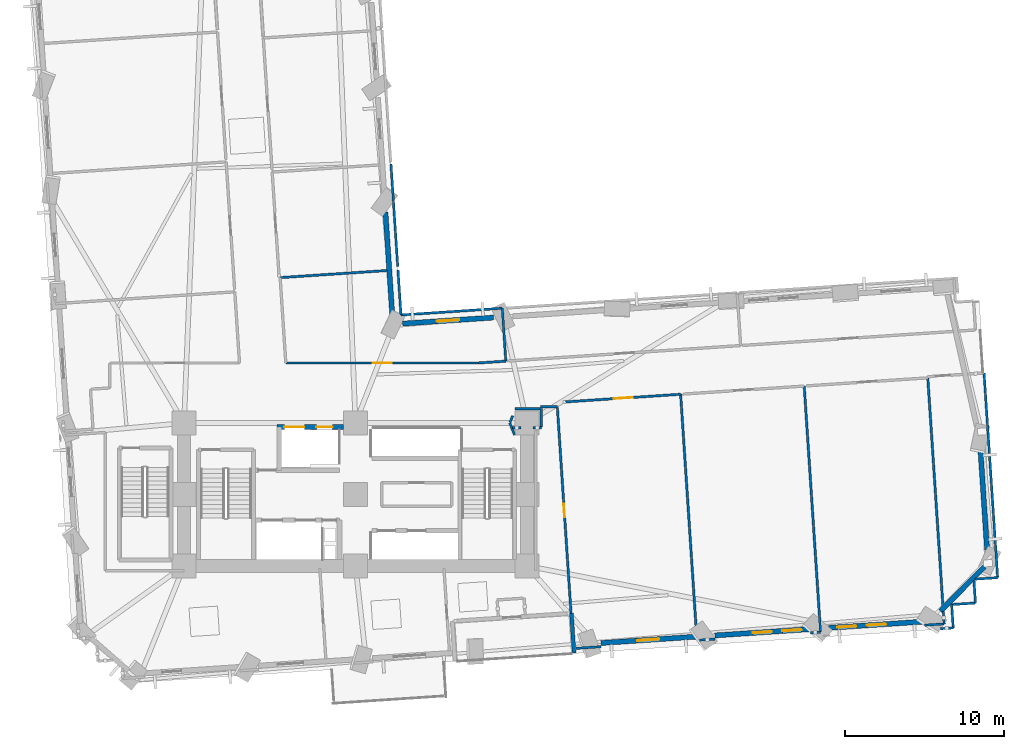
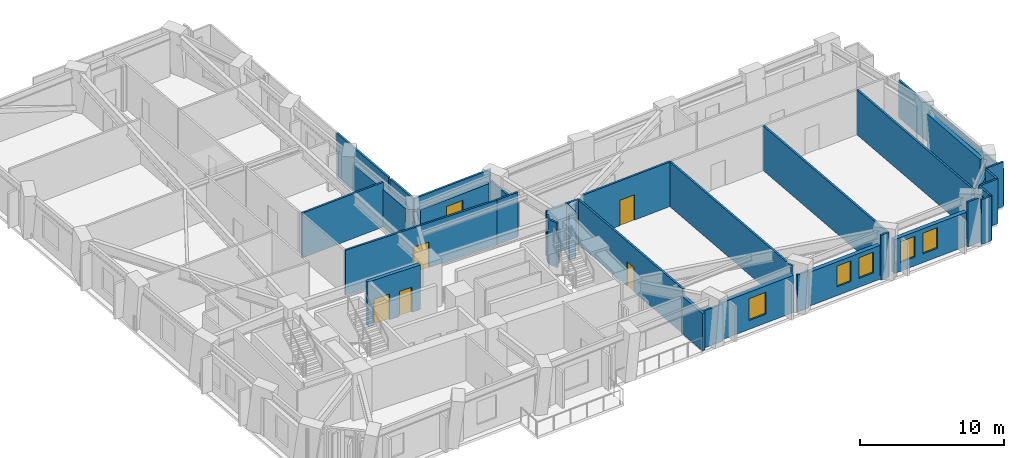
# One storey, part 8 of 14: 39 walls, 6 windows, 5 doors, 11 openings.
"""IFC4 building model written with IfcOpenShell, lengths in metres."""

from ifc_helpers import new_model, si_unit, direction, frame, frame_2d, origin, place, context, subcontext, project, spatial, rectangle, extrude, material, layer, layer_set, type_object, element, fill, save


model = new_model("IFC4")

# Units and contexts
model_context = context("Model", 3, precision=1e-05, world=origin(), true_north=direction((0.0, 1.0)))
body_context = subcontext(model_context, "Body", "Model", "MODEL_VIEW")
ifc_project = project(units=[si_unit("LENGTHUNIT", "METRE"), si_unit("AREAUNIT", "SQUARE_METRE"), si_unit("VOLUMEUNIT", "CUBIC_METRE"), si_unit("PLANEANGLEUNIT", "RADIAN"), si_unit("MASSUNIT", "GRAM", prefix="KILO")], contexts=[model_context])

# Site, building, storey
site_placement = place(None, origin())
site = spatial("IfcSite", under=ifc_project, at=site_placement, CompositionType="ELEMENT")
building_placement = place(site_placement, origin())
building = spatial("IfcBuilding", under=site, at=building_placement, Name="Gaonmaruhae Medical Tower", CompositionType="ELEMENT")
storey_placement = place(building_placement, frame((0.0, 0.0, 39.0)))
storey = spatial("IfcBuildingStorey", under=building, at=storey_placement, Name="L08", CompositionType="ELEMENT", Elevation=39.0)

# Wall
ifc_material_1 = material(Name="Precast concrete C45/55", Category="concrete")
ifc_layer_1 = layer(ifc_material_1, 0.239990234375)
ifc_layer_set_1 = layer_set([ifc_layer_1], Name="Precast concrete C45/55")
wall_type_1 = type_object("IfcWallType", Name="EW-240 Ribbon & Shelter Insulated Precast Wall", PredefinedType="SOLIDWALL", material=ifc_layer_set_1)
wall_1_placement = place(storey_placement, frame((38.563720703125, 2.319580078125, 0.0), z_axis=(0.0, 0.0, 1.0), x_axis=(-0.066214356047, 0.997805421439, 0.0)))
element("IfcWall", 1, at=wall_1_placement, inside=storey, type_object=wall_type_1, Name="L08 Recessed Terrace Enclosure Wall TERR", PredefinedType="SOLIDWALL", context=body_context, shape_type="SweptSolid", body=[
    extrude(rectangle(XDim=2.499755859375, YDim=0.239990234375, at=frame_2d((1.25, 0.0))), origin(), (0.0, 0.0, 1.0), 3.1650390625),
])

# Wall, opening, window
ifc_layer_2 = layer(ifc_material_1, 0.320068359375)
ifc_layer_set_2 = layer_set([ifc_layer_2], Name="Precast concrete C45/55")
wall_type_2 = type_object("IfcWallType", Name="EW-320 Lower Precast Masonry-Frame Facade Wall", PredefinedType="SOLIDWALL", material=ifc_layer_set_2)
wall_2_placement = place(storey_placement, frame((46.233642578125, 3.340087890625, 0.0), z_axis=(0.0, 0.0, 1.0), x_axis=(-0.997800992152, -0.066281068641, 0.0)))
wall_2 = element("IfcWall", 2, at=wall_2_placement, inside=storey, type_object=wall_type_2, Name="L08 Precast Masonry-Frame Wall S05-S06", PredefinedType="SOLIDWALL", context=body_context, shape_type="SweptSolid", body=[
    extrude(rectangle(XDim=5.992919921875, YDim=0.320068359375, at=frame_2d((2.99658203125, 0.0))), origin(), (0.0, 0.0, 1.0), 3.14501953125),
])
opening_1_placement = place(wall_2_placement, frame((2.2978515625, 0.0, 0.75)))
opening_1 = element("IfcOpeningElement", 3, at=opening_1_placement, cuts=wall_2, Name="Opening WN-03", PredefinedType="OPENING", context=body_context, shape_type="SweptSolid", body=[
    extrude(rectangle(XDim=1.39990234375, YDim=1.85009765625, at=frame_2d((0.699951171875, 0.925048828125))), frame((0.0, 0.169921875, 0.0), z_axis=(0.0, -1.0, 0.0), x_axis=(1.0, 0.0, 0.0)), (0.0, 0.0, 1.0), 0.340087890625),
])
ifc_material_2 = material(Name="Anodised aluminium and Low-E double glazing", Category="aluminium")
window_type_1 = type_object("IfcWindowType", Name="WN-03 Isolation Ward Punched Window 1400x1850", PartitioningType="SINGLE_PANEL", PredefinedType="WINDOW", material=ifc_material_2)
window_1_placement = place(opening_1_placement, origin())
window_1 = element("IfcWindow", 4, at=window_1_placement, inside=storey, type_object=window_type_1, Name="L08 Modular Facade Window S05", OverallHeight=1.85009765625, OverallWidth=1.39990234375, PartitioningType="SINGLE_PANEL", PredefinedType="WINDOW", context=body_context, shape_type="SweptSolid", body=[
    extrude(rectangle(XDim=1.39990234375, YDim=1.85009765625, at=frame_2d((0.699951171875, 0.925048828125))), frame((0.0, 0.030029296875, 0.0), z_axis=(0.0, -1.0, 0.0), x_axis=(1.0, 0.0, 0.0)), (0.0, 0.0, 1.0), 0.06005859375),
])
fill(opening_1, window_1)

# Wall, openings, windows
wall_3_placement = place(storey_placement, frame((53.43017578125, 3.818115234375, 0.0), z_axis=(0.0, 0.0, 1.0), x_axis=(-0.997801835768, -0.066268367557, 0.0)))
wall_3 = element("IfcWall", 5, at=wall_3_placement, inside=storey, type_object=wall_type_2, Name="L08 Precast Masonry-Frame Wall S06-S07", PredefinedType="SOLIDWALL", context=body_context, shape_type="SweptSolid", body=[
    extrude(rectangle(XDim=6.012451171875, YDim=0.320068359375, at=frame_2d((3.00634765625, 0.0))), origin(), (0.0, 0.0, 1.0), 2.864990234375),
])
opening_2_placement = place(wall_3_placement, frame((2.4091796875, 0.0, 0.75)))
opening_2 = element("IfcOpeningElement", 6, at=opening_2_placement, cuts=wall_3, Name="Opening WN-05", PredefinedType="OPENING", context=body_context, shape_type="SweptSolid", body=[
    extrude(rectangle(XDim=1.199951171875, YDim=1.75, at=frame_2d((0.60009765625, 0.875))), frame((0.0, 0.169921875, 0.0), z_axis=(0.0, -1.0, 0.0), x_axis=(1.0, 0.0, 0.0)), (0.0, 0.0, 1.0), 0.340087890625),
])
opening_3_placement = place(wall_3_placement, frame((0.544189453125, 0.0, 0.75)))
opening_3 = element("IfcOpeningElement", 7, at=opening_3_placement, cuts=wall_3, Name="Opening WN-05", PredefinedType="OPENING", context=body_context, shape_type="SweptSolid", body=[
    extrude(rectangle(XDim=1.199951171875, YDim=1.75, at=frame_2d((0.60009765625, 0.875))), frame((0.0, 0.169921875, 0.0), z_axis=(0.0, -1.0, 0.0), x_axis=(1.0, 0.0, 0.0)), (0.0, 0.0, 1.0), 0.340087890625),
])
window_type_2 = type_object("IfcWindowType", Name="WN-05 Support & Staff Punched Window 1200x1750", PartitioningType="SINGLE_PANEL", PredefinedType="WINDOW", material=ifc_material_2)
window_2_placement = place(opening_2_placement, origin())
window_2 = element("IfcWindow", 8, at=window_2_placement, inside=storey, type_object=window_type_2, Name="L08 Modular Facade Window S06", OverallHeight=1.75, OverallWidth=1.199951171875, PartitioningType="SINGLE_PANEL", PredefinedType="WINDOW", context=body_context, shape_type="SweptSolid", body=[
    extrude(rectangle(XDim=1.199951171875, YDim=1.75, at=frame_2d((0.60009765625, 0.875))), frame((0.0, 0.030029296875, 0.0), z_axis=(0.0, -1.0, 0.0), x_axis=(1.0, 0.0, 0.0)), (0.0, 0.0, 1.0), 0.06005859375),
])
fill(opening_2, window_2)
window_3_placement = place(opening_3_placement, origin())
window_3 = element("IfcWindow", 9, at=window_3_placement, inside=storey, type_object=window_type_2, Name="L08 Modular Facade Window S06B", OverallHeight=1.75, OverallWidth=1.199951171875, PartitioningType="SINGLE_PANEL", PredefinedType="WINDOW", context=body_context, shape_type="SweptSolid", body=[
    extrude(rectangle(XDim=1.199951171875, YDim=1.75, at=frame_2d((0.60009765625, 0.875))), frame((0.0, 0.030029296875, 0.0), z_axis=(0.0, -1.0, 0.0), x_axis=(1.0, 0.0, 0.0)), (0.0, 0.0, 1.0), 0.06005859375),
])
fill(opening_3, window_3)

wall_4_placement = place(storey_placement, frame((60.633056640625, 4.29638671875, 0.0), z_axis=(0.0, 0.0, 1.0), x_axis=(-0.997803705624, -0.066240207142, 0.0)))
wall_4 = element("IfcWall", 10, at=wall_4_placement, inside=storey, type_object=wall_type_2, Name="L08 Precast Masonry-Frame Wall S07-S08", PredefinedType="SOLIDWALL", context=body_context, shape_type="SweptSolid", body=[
    extrude(rectangle(XDim=6.04443359375, YDim=0.320068359375, at=frame_2d((3.022216796875, 0.0))), origin(), (0.0, 0.0, 1.0), 2.864990234375),
])
opening_4_placement = place(wall_4_placement, frame((2.426513671875, 0.0, 0.75)))
opening_4 = element("IfcOpeningElement", 11, at=opening_4_placement, cuts=wall_4, Name="Opening WN-05", PredefinedType="OPENING", context=body_context, shape_type="SweptSolid", body=[
    extrude(rectangle(XDim=1.199951171875, YDim=1.75, at=frame_2d((0.60009765625, 0.875))), frame((0.0, 0.169921875, 0.0), z_axis=(0.0, -1.0, 0.0), x_axis=(1.0, 0.0, 0.0)), (0.0, 0.0, 1.0), 0.340087890625),
])
opening_5_placement = place(wall_4_placement, frame((4.2958984375, 0.0, 0.75)))
opening_5 = element("IfcOpeningElement", 12, at=opening_5_placement, cuts=wall_4, Name="Opening WN-05", PredefinedType="OPENING", context=body_context, shape_type="SweptSolid", body=[
    extrude(rectangle(XDim=1.199951171875, YDim=1.75, at=frame_2d((0.60009765625, 0.875))), frame((0.0, 0.169921875, 0.0), z_axis=(0.0, -1.0, 0.0), x_axis=(1.0, 0.0, 0.0)), (0.0, 0.0, 1.0), 0.340087890625),
])
window_4_placement = place(opening_4_placement, origin())
window_4 = element("IfcWindow", 13, at=window_4_placement, inside=storey, type_object=window_type_2, Name="L08 Modular Facade Window S07", OverallHeight=1.75, OverallWidth=1.199951171875, PartitioningType="SINGLE_PANEL", PredefinedType="WINDOW", context=body_context, shape_type="SweptSolid", body=[
    extrude(rectangle(XDim=1.199951171875, YDim=1.75, at=frame_2d((0.60009765625, 0.875))), frame((0.0, 0.030029296875, 0.0), z_axis=(0.0, -1.0, 0.0), x_axis=(1.0, 0.0, 0.0)), (0.0, 0.0, 1.0), 0.06005859375),
])
fill(opening_4, window_4)
window_5_placement = place(opening_5_placement, origin())
window_5 = element("IfcWindow", 14, at=window_5_placement, inside=storey, type_object=window_type_2, Name="L08 Modular Facade Window S07B", OverallHeight=1.75, OverallWidth=1.199951171875, PartitioningType="SINGLE_PANEL", PredefinedType="WINDOW", context=body_context, shape_type="SweptSolid", body=[
    extrude(rectangle(XDim=1.199951171875, YDim=1.75, at=frame_2d((0.60009765625, 0.875))), frame((0.0, 0.030029296875, 0.0), z_axis=(0.0, -1.0, 0.0), x_axis=(1.0, 0.0, 0.0)), (0.0, 0.0, 1.0), 0.06005859375),
])
fill(opening_5, window_5)

# Walls
wall_5_placement = place(storey_placement, frame((64.406982421875, 7.7412109375, 0.0), z_axis=(0.0, 0.0, 1.0), x_axis=(-0.704023171007, -0.710177002363, 0.0)))
element("IfcWall", 15, at=wall_5_placement, inside=storey, type_object=wall_type_2, Name="L08 Precast Masonry-Frame Wall S08-E01", PredefinedType="SOLIDWALL", context=body_context, shape_type="SweptSolid", body=[
    extrude(rectangle(XDim=3.927734375, YDim=0.320068359375, at=frame_2d((1.9638671875, 0.0))), origin(), (0.0, 0.0, 1.0), 3.1650390625),
])
wall_6_placement = place(storey_placement, frame((64.14013671875, 15.400390625, 0.0), z_axis=(0.0, 0.0, 1.0), x_axis=(0.066259164562, -0.997802446936, 0.0)))
element("IfcWall", 16, at=wall_6_placement, inside=storey, type_object=wall_type_2, Name="L08 Precast Masonry-Frame Wall E01-E02", PredefinedType="SOLIDWALL", context=body_context, shape_type="SweptSolid", body=[
    extrude(rectangle(XDim=6.610107421875, YDim=0.320068359375, at=frame_2d((3.30517578125, 0.0))), origin(), (0.0, 0.0, 1.0), 3.1650390625),
])

# Wall, opening, window
wall_7_placement = place(storey_placement, frame((27.76953125, 23.059814453125, 0.0), z_axis=(0.0, 0.0, 1.0), x_axis=(0.997801886961, 0.066267596741, 0.0)))
wall_7 = element("IfcWall", 17, at=wall_7_placement, inside=storey, type_object=wall_type_2, Name="L08 Precast Masonry-Frame Wall EN04-KN01", PredefinedType="SOLIDWALL", context=body_context, shape_type="SweptSolid", body=[
    extrude(rectangle(XDim=5.736328125, YDim=0.320068359375, at=frame_2d((2.8681640625, 0.0))), origin(), (0.0, 0.0, 1.0), 3.1650390625),
])
opening_6_placement = place(wall_7_placement, frame((2.168701171875, 0.0, 0.75)))
opening_6 = element("IfcOpeningElement", 18, at=opening_6_placement, cuts=wall_7, Name="Opening WN-03", PredefinedType="OPENING", context=body_context, shape_type="SweptSolid", body=[
    extrude(rectangle(XDim=1.39990234375, YDim=1.85009765625, at=frame_2d((0.699951171875, 0.925048828125))), frame((0.0, 0.169921875, 0.0), z_axis=(0.0, -1.0, 0.0), x_axis=(1.0, 0.0, 0.0)), (0.0, 0.0, 1.0), 0.340087890625),
])
window_6_placement = place(opening_6_placement, origin())
window_6 = element("IfcWindow", 19, at=window_6_placement, inside=storey, type_object=window_type_1, Name="L08 Modular Facade Window EN04", OverallHeight=1.85009765625, OverallWidth=1.39990234375, PartitioningType="SINGLE_PANEL", PredefinedType="WINDOW", context=body_context, shape_type="SweptSolid", body=[
    extrude(rectangle(XDim=1.39990234375, YDim=1.85009765625, at=frame_2d((0.699951171875, 0.925048828125))), frame((0.0, 0.030029296875, 0.0), z_axis=(0.0, -1.0, 0.0), x_axis=(1.0, 0.0, 0.0)), (0.0, 0.0, 1.0), 0.06005859375),
])
fill(opening_6, window_6)

# Walls
wall_8_placement = place(storey_placement, frame((27.1171875, 23.5712890625, 0.0), z_axis=(0.0, 0.0, 1.0), x_axis=(-0.066263654845, 0.997802148748, 0.0)))
element("IfcWall", 20, at=wall_8_placement, inside=storey, type_object=wall_type_2, Name="L08 Precast Masonry-Frame Wall KN01-NE01", PredefinedType="SOLIDWALL", context=body_context, shape_type="SweptSolid", body=[
    extrude(rectangle(XDim=6.5361328125, YDim=0.320068359375, at=frame_2d((3.26806640625, 0.0))), origin(), (0.0, 0.0, 1.0), 3.1650390625),
])
ifc_material_3 = material(Name="Gypsum board partition", Category="gypsum")
ifc_layer_3 = layer(ifc_material_3, 0.14990234375)
ifc_layer_set_3 = layer_set([ifc_layer_3], Name="Gypsum board partition")
wall_type_3 = type_object("IfcWallType", Name="PW-150 Rated Clinical Corridor Partition", PredefinedType="PARTITIONING", material=ifc_layer_set_3)
wall_9_placement = place(storey_placement, frame((34.822021484375, 16.050048828125, 0.0), z_axis=(0.0, 0.0, 1.0), x_axis=(-0.382050639738, 0.924141389981, 0.0)))
element("IfcWall", 21, at=wall_9_placement, inside=storey, type_object=wall_type_3, Name="L08 Interior Partition L08-SUP04-21", PredefinedType="PARTITIONING", context=body_context, shape_type="SweptSolid", body=[
    extrude(rectangle(XDim=0.8115234375, YDim=0.14990234375, at=frame_2d((0.40576171875, 0.0))), origin(), (0.0, 0.0, 1.0), 3.780029296875),
])
wall_10_placement = place(storey_placement, frame((34.531005859375, 16.845947265625, 0.0), z_axis=(0.0, 0.0, 1.0), x_axis=(0.382612233621, 0.923909020782, 0.0)))
element("IfcWall", 22, at=wall_10_placement, inside=storey, type_object=wall_type_3, Name="L08 Interior Partition L08-SUP04-22", PredefinedType="PARTITIONING", context=body_context, shape_type="SweptSolid", body=[
    extrude(rectangle(XDim=0.441650390625, YDim=0.14990234375, at=frame_2d((0.220703125, 0.0))), origin(), (0.0, 0.0, 1.0), 3.780029296875),
])
wall_11_placement = place(storey_placement, frame((34.699951171875, 16.5, 0.0), z_axis=(0.0, 0.0, 1.0), x_axis=(1.0, 0.0, 0.0)))
element("IfcWall", 23, at=wall_11_placement, inside=storey, type_object=wall_type_3, Name="L08 Interior Partition L08-SUP04-23", PredefinedType="PARTITIONING", context=body_context, shape_type="SweptSolid", body=[
    extrude(rectangle(XDim=0.525146484375, YDim=0.14990234375, at=frame_2d((0.2626953125, 0.0))), origin(), (0.0, 0.0, 1.0), 2.864990234375),
])
wall_12_placement = place(storey_placement, frame((35.97509765625, 16.5, 0.0), z_axis=(0.0, 0.0, 1.0), x_axis=(1.0, 0.0, 0.0)))
element("IfcWall", 24, at=wall_12_placement, inside=storey, type_object=wall_type_3, Name="L08 Interior Partition L08-SUP04-24", PredefinedType="PARTITIONING", context=body_context, shape_type="SweptSolid", body=[
    extrude(rectangle(XDim=0.52490234375, YDim=0.14990234375, at=frame_2d((0.262451171875, 0.0))), origin(), (0.0, 0.0, 1.0), 3.780029296875),
])
wall_13_placement = place(storey_placement, frame((36.5, 16.550048828125, 0.0), z_axis=(0.0, 0.0, 1.0), x_axis=(0.0, 1.0, 0.0)))
element("IfcWall", 25, at=wall_13_placement, inside=storey, type_object=wall_type_3, Name="L08 Interior Partition L08-SUP04-25", PredefinedType="PARTITIONING", context=body_context, shape_type="SweptSolid", body=[
    extrude(rectangle(XDim=1.14990234375, YDim=0.14990234375, at=frame_2d((0.574951171875, 0.0))), origin(), (0.0, 0.0, 1.0), 3.780029296875),
])
wall_14_placement = place(storey_placement, frame((36.449951171875, 17.699951171875, 0.0), z_axis=(0.0, 0.0, 1.0), x_axis=(-1.0, 0.0, 0.0)))
element("IfcWall", 26, at=wall_14_placement, inside=storey, type_object=wall_type_3, Name="L08 Interior Partition L08-SUP04-26", PredefinedType="PARTITIONING", context=body_context, shape_type="SweptSolid", body=[
    extrude(rectangle(XDim=1.619873046875, YDim=0.14990234375, at=frame_2d((0.81005859375, 0.0))), origin(), (0.0, 0.0, 1.0), 3.780029296875),
])
wall_15_placement = place(storey_placement, frame((36.449951171875, 17.820068359375, 0.0), z_axis=(0.0, 0.0, 1.0), x_axis=(1.0, 0.0, 0.0)))
element("IfcWall", 27, at=wall_15_placement, inside=storey, type_object=wall_type_3, Name="L08 Interior Partition L08-SUP04-27", PredefinedType="PARTITIONING", context=body_context, shape_type="SweptSolid", body=[
    extrude(rectangle(XDim=1.06103515625, YDim=0.14990234375, at=frame_2d((0.530517578125, 0.0))), origin(), (0.0, 0.0, 1.0), 3.780029296875),
])

# Wall, opening, door
wall_16_placement = place(storey_placement, frame((37.513916015625, 17.77001953125, 0.0), z_axis=(0.0, 0.0, 1.0), x_axis=(0.066305643617, -0.997799359403, 0.0)))
wall_16 = element("IfcWall", 28, at=wall_16_placement, inside=storey, type_object=wall_type_3, Name="L08 Interior Partition L08-SUP04-28", PredefinedType="PARTITIONING", context=body_context, shape_type="SweptSolid", body=[
    extrude(rectangle(XDim=12.986572265625, YDim=0.14990234375, at=frame_2d((6.4931640625, 0.0))), origin(), (0.0, 0.0, 1.0), 3.780029296875),
])
opening_7_placement = place(wall_16_placement, frame((6.063232421875, 0.0, 0.0)))
opening_7 = element("IfcOpeningElement", 29, at=opening_7_placement, cuts=wall_16, Name="Opening AD-01", PredefinedType="OPENING", context=body_context, shape_type="SweptSolid", body=[
    extrude(rectangle(XDim=0.860107421875, YDim=2.06005859375, at=frame_2d((0.43017578125, 1.030029296875))), frame((0.0, 0.0849609375, 0.0), z_axis=(0.0, -1.0, 0.0), x_axis=(1.0, 0.0, 0.0)), (0.0, 0.0, 1.0), 0.169921875),
])
ifc_material_4 = material(Name="Powder-coated steel access door", Category="steel")
door_type_1 = type_object("IfcDoorType", Name="AD-01 Riser & Closet Access Fire Door 860x2060", OperationType="NOTDEFINED", PredefinedType="DOOR", material=ifc_material_4)
door_1_placement = place(opening_7_placement, origin())
door_1 = element("IfcDoor", 30, at=door_1_placement, inside=storey, type_object=door_type_1, Name="L08 Clinical Biomedical Charting Office Sliding Door", OperationType="SLIDING_TO_LEFT", OverallHeight=2.06005859375, OverallWidth=0.860107421875, PredefinedType="DOOR", context=body_context, shape_type="SweptSolid", body=[
    extrude(rectangle(XDim=0.860107421875, YDim=2.06005859375, at=frame_2d((0.43017578125, 1.030029296875))), frame((0.0, 0.02490234375, 0.0), z_axis=(0.0, -1.0, 0.0), x_axis=(1.0, 0.0, 0.0)), (0.0, 0.0, 1.0), 0.050048828125),
])
fill(opening_7, door_1)

wall_17_placement = place(storey_placement, frame((38.030029296875, 18.12890625, 0.0), z_axis=(0.0, 0.0, 1.0), x_axis=(0.997802084091, 0.066264628449, 0.0)))
wall_17 = element("IfcWall", 31, at=wall_17_placement, inside=storey, type_object=wall_type_3, Name="L08 Interior Partition L08-SUP05-32", PredefinedType="PARTITIONING", context=body_context, shape_type="SweptSolid", body=[
    extrude(rectangle(XDim=7.26171875, YDim=0.14990234375, at=frame_2d((3.630859375, 0.0))), origin(), (0.0, 0.0, 1.0), 3.780029296875),
])
opening_8_placement = place(wall_17_placement, frame((3.031005859375, 0.0, 0.0)))
opening_8 = element("IfcOpeningElement", 32, at=opening_8_placement, cuts=wall_17, Name="Opening CD-02", PredefinedType="OPENING", context=body_context, shape_type="SweptSolid", body=[
    extrude(rectangle(XDim=1.199951171875, YDim=2.14990234375, at=frame_2d((0.60009765625, 1.074951171875))), frame((0.0, 0.0849609375, 0.0), z_axis=(0.0, -1.0, 0.0), x_axis=(1.0, 0.0, 0.0)), (0.0, 0.0, 1.0), 0.169921875),
])
ifc_material_5 = material(Name="Antimicrobial laminate timber fire door", Category="wood")
door_type_2 = type_object("IfcDoorType", Name="CD-02 Clinical Treatment & Procedure Door 1200x2150", OperationType="NOTDEFINED", PredefinedType="DOOR", material=ifc_material_5)
door_2_placement = place(opening_8_placement, origin())
door_2 = element("IfcDoor", 33, at=door_2_placement, inside=storey, type_object=door_type_2, Name="L08 Clinical Biomedical Charting Office Door", OperationType="SINGLE_SWING_RIGHT", OverallHeight=2.14990234375, OverallWidth=1.199951171875, PredefinedType="DOOR", context=body_context, shape_type="SweptSolid", body=[
    extrude(rectangle(XDim=1.199951171875, YDim=2.14990234375, at=frame_2d((0.60009765625, 1.074951171875))), frame((0.0, 0.02490234375, 0.0), z_axis=(0.0, -1.0, 0.0), x_axis=(1.0, 0.0, 0.0)), (0.0, 0.0, 1.0), 0.050048828125),
])
fill(opening_8, door_2)

# Walls
wall_18_placement = place(storey_placement, frame((45.27587890625, 18.610107421875, 0.0), z_axis=(0.0, 0.0, 1.0), x_axis=(0.066289466221, -0.997800434289, 0.0)))
element("IfcWall", 34, at=wall_18_placement, inside=storey, type_object=wall_type_3, Name="L08 Interior Partition L08-SUP05-33", PredefinedType="PARTITIONING", context=body_context, shape_type="SweptSolid", body=[
    extrude(rectangle(XDim=15.177490234375, YDim=0.14990234375, at=frame_2d((7.5888671875, 0.0))), origin(), (0.0, 0.0, 1.0), 3.780029296875),
])
wall_19_placement = place(storey_placement, frame((40.26904296875, 2.712890625, 0.0), z_axis=(0.0, 0.0, 1.0), x_axis=(-0.997819659063, -0.065999454453, 0.0)))
element("IfcWall", 35, at=wall_19_placement, inside=storey, type_object=wall_type_3, Name="L08 Interior Partition L08-SUP05-34", PredefinedType="PARTITIONING", context=body_context, shape_type="SweptSolid", body=[
    extrude(rectangle(XDim=1.590576171875, YDim=0.14990234375, at=frame_2d((0.79541015625, 0.0))), origin(), (0.0, 0.0, 1.0), 3.14501953125),
])
wall_20_placement = place(storey_placement, frame((53.05908203125, 19.126953125, 0.0), z_axis=(0.0, 0.0, 1.0), x_axis=(0.06624667966, -0.997803275919, 0.0)))
element("IfcWall", 36, at=wall_20_placement, inside=storey, type_object=wall_type_3, Name="L08 Interior Partition L08-SUP06-36", PredefinedType="PARTITIONING", context=body_context, shape_type="SweptSolid", body=[
    extrude(rectangle(XDim=15.530029296875, YDim=0.14990234375, at=frame_2d((7.76513671875, 0.0))), origin(), (0.0, 0.0, 1.0), 3.780029296875),
])
wall_21_placement = place(storey_placement, frame((54.087890625, 3.631103515625, 0.0), z_axis=(0.0, 0.0, 1.0), x_axis=(-0.997748116505, -0.067072319264, 0.0)))
element("IfcWall", 37, at=wall_21_placement, inside=storey, type_object=wall_type_3, Name="L08 Interior Partition L08-SUP06-37", PredefinedType="PARTITIONING", context=body_context, shape_type="SweptSolid", body=[
    extrude(rectangle(XDim=0.644287109375, YDim=0.14990234375, at=frame_2d((0.322265625, 0.0))), origin(), (0.0, 0.0, 1.0), 3.780029296875),
])
wall_22_placement = place(storey_placement, frame((47.446044921875, 3.18994140625, 0.0), z_axis=(0.0, 0.0, 1.0), x_axis=(-0.997815818471, -0.066057493209, 0.0)))
element("IfcWall", 38, at=wall_22_placement, inside=storey, type_object=wall_type_3, Name="L08 Interior Partition L08-SUP06-38", PredefinedType="PARTITIONING", context=body_context, shape_type="SweptSolid", body=[
    extrude(rectangle(XDim=0.983154296875, YDim=0.14990234375, at=frame_2d((0.49169921875, 0.0))), origin(), (0.0, 0.0, 1.0), 3.14501953125),
])
wall_23_placement = place(storey_placement, frame((60.842041015625, 19.64404296875, 0.0), z_axis=(0.0, 0.0, 1.0), x_axis=(0.0662755688, -0.997801357476, 0.0)))
element("IfcWall", 39, at=wall_23_placement, inside=storey, type_object=wall_type_3, Name="L08 Interior Partition L08-SUP07-40", PredefinedType="PARTITIONING", context=body_context, shape_type="SweptSolid", body=[
    extrude(rectangle(XDim=14.37744140625, YDim=0.14990234375, at=frame_2d((7.188720703125, 0.0))), origin(), (0.0, 0.0, 1.0), 3.780029296875),
])
wall_24_placement = place(storey_placement, frame((61.819091796875, 4.93798828125, 0.0), z_axis=(0.0, 0.0, 1.0), x_axis=(0.065679876034, -0.997840745753, 0.0)))
element("IfcWall", 40, at=wall_24_placement, inside=storey, type_object=wall_type_3, Name="L08 Interior Partition L08-SUP07-41", PredefinedType="PARTITIONING", context=body_context, shape_type="SweptSolid", body=[
    extrude(rectangle(XDim=0.791748046875, YDim=0.14990234375, at=frame_2d((0.39599609375, 0.0))), origin(), (0.0, 0.0, 1.0), 3.780029296875),
])
wall_25_placement = place(storey_placement, frame((61.87109375, 4.14794921875, 0.0), z_axis=(0.0, 0.0, 1.0), x_axis=(-0.997811516746, -0.066122439832, 0.0)))
element("IfcWall", 41, at=wall_25_placement, inside=storey, type_object=wall_type_3, Name="L08 Interior Partition L08-SUP07-42", PredefinedType="PARTITIONING", context=body_context, shape_type="SweptSolid", body=[
    extrude(rectangle(XDim=1.225830078125, YDim=0.14990234375, at=frame_2d((0.61279296875, 0.0))), origin(), (0.0, 0.0, 1.0), 3.780029296875),
])
wall_26_placement = place(storey_placement, frame((20.053955078125, 25.955078125, 0.0), z_axis=(0.0, 0.0, 1.0), x_axis=(0.997798252278, 0.066322302059, 0.0)))
element("IfcWall", 42, at=wall_26_placement, inside=storey, type_object=wall_type_3, Name="L08 Interior Partition L08-IE01-66", PredefinedType="PARTITIONING", context=body_context, shape_type="SweptSolid", body=[
    extrude(rectangle(XDim=6.7548828125, YDim=0.14990234375, at=frame_2d((3.37744140625, 0.0))), origin(), (0.0, 0.0, 1.0), 3.780029296875),
])
wall_27_placement = place(storey_placement, frame((27.47705078125, 26.447998046875, 0.0), z_axis=(0.0, 0.0, 1.0), x_axis=(0.066297290222, -0.997799914466, 0.0)))
element("IfcWall", 43, at=wall_27_placement, inside=storey, type_object=wall_type_3, Name="L08 Interior Partition L08-IE01-67", PredefinedType="PARTITIONING", context=body_context, shape_type="SweptSolid", body=[
    extrude(rectangle(XDim=2.850341796875, YDim=0.14990234375, at=frame_2d((1.42529296875, 0.0))), origin(), (0.0, 0.0, 1.0), 3.780029296875),
])
wall_28_placement = place(storey_placement, frame((27.666015625, 23.60400390625, 0.0), z_axis=(0.0, 0.0, 1.0), x_axis=(0.99779680372, 0.066344091566, 0.0)))
element("IfcWall", 44, at=wall_28_placement, inside=storey, type_object=wall_type_3, Name="L08 Interior Partition L08-IE01-68", PredefinedType="PARTITIONING", context=body_context, shape_type="SweptSolid", body=[
    extrude(rectangle(XDim=6.39208984375, YDim=0.14990234375, at=frame_2d((3.196044921875, 0.0))), origin(), (0.0, 0.0, 1.0), 3.780029296875),
])
wall_29_placement = place(storey_placement, frame((34.0439453125, 24.028076171875, 0.0), z_axis=(0.0, 0.0, 1.0), x_axis=(0.066509308686, -0.997785804598, 0.0)))
element("IfcWall", 45, at=wall_29_placement, inside=storey, type_object=wall_type_3, Name="L08 Interior Partition L08-IE01-69", PredefinedType="PARTITIONING", context=body_context, shape_type="SweptSolid", body=[
    extrude(rectangle(XDim=3.34033203125, YDim=0.14990234375, at=frame_2d((1.670166015625, 0.0))), origin(), (0.0, 0.0, 1.0), 2.864990234375),
])
wall_30_placement = place(storey_placement, frame((34.26611328125, 20.695068359375, 0.0), z_axis=(0.0, 0.0, 1.0), x_axis=(-0.997806253018, -0.06620182352, 0.0)))
element("IfcWall", 46, at=wall_30_placement, inside=storey, type_object=wall_type_3, Name="L08 Interior Partition L08-IE01-70", PredefinedType="PARTITIONING", context=body_context, shape_type="SweptSolid", body=[
    extrude(rectangle(XDim=1.737060546875, YDim=0.14990234375, at=frame_2d((0.86865234375, 0.0))), origin(), (0.0, 0.0, 1.0), 3.780029296875),
])

# Wall, opening, door
wall_31_placement = place(storey_placement, frame((32.532958984375, 20.580078125, 0.0), z_axis=(0.0, 0.0, 1.0), x_axis=(-1.0, 0.0, 0.0)))
wall_31 = element("IfcWall", 47, at=wall_31_placement, inside=storey, type_object=wall_type_3, Name="L08 Interior Partition L08-IE01-71", PredefinedType="PARTITIONING", context=body_context, shape_type="SweptSolid", body=[
    extrude(rectangle(XDim=12.1220703125, YDim=0.14990234375, at=frame_2d((6.06103515625, 0.0))), origin(), (0.0, 0.0, 1.0), 3.780029296875),
])
opening_9_placement = place(wall_31_placement, frame((5.4609375, 0.0, 0.0)))
opening_9 = element("IfcOpeningElement", 48, at=opening_9_placement, cuts=wall_31, Name="Opening CD-02", PredefinedType="OPENING", context=body_context, shape_type="SweptSolid", body=[
    extrude(rectangle(XDim=1.199951171875, YDim=2.14990234375, at=frame_2d((0.60009765625, 1.074951171875))), frame((0.0, 0.0849609375, 0.0), z_axis=(0.0, -1.0, 0.0), x_axis=(1.0, 0.0, 0.0)), (0.0, 0.0, 1.0), 0.169921875),
])
door_3_placement = place(opening_9_placement, origin())
door_3 = element("IfcDoor", 49, at=door_3_placement, inside=storey, type_object=door_type_2, Name="L08 Central Clinical Nurse Station Door", OperationType="SINGLE_SWING_LEFT", OverallHeight=2.14990234375, OverallWidth=1.199951171875, PredefinedType="DOOR", context=body_context, shape_type="SweptSolid", body=[
    extrude(rectangle(XDim=1.199951171875, YDim=2.14990234375, at=frame_2d((0.60009765625, 1.074951171875))), frame((0.0, 0.02490234375, 0.0), z_axis=(0.0, -1.0, 0.0), x_axis=(1.0, 0.0, 0.0)), (0.0, 0.0, 1.0), 0.050048828125),
])
fill(opening_9, door_3)

# Walls
wall_32_placement = place(storey_placement, frame((27.034912109375, 33.10302734375, 0.0), z_axis=(0.0, 0.0, 1.0), x_axis=(0.066248114822, -0.997803180634, 0.0)))
element("IfcWall", 50, at=wall_32_placement, inside=storey, type_object=wall_type_3, Name="L08 Interior Partition L08-IN01-84", PredefinedType="PARTITIONING", context=body_context, shape_type="SweptSolid", body=[
    extrude(rectangle(XDim=6.460205078125, YDim=0.14990234375, at=frame_2d((3.22998046875, 0.0))), origin(), (0.0, 0.0, 1.0), 3.780029296875),
])
wall_33_placement = place(storey_placement, frame((63.75390625, 6.889892578125, 0.0), z_axis=(0.0, 0.0, 1.0), x_axis=(0.065681083351, -0.997840666284, 0.0)))
element("IfcWall", 51, at=wall_33_placement, inside=storey, type_object=wall_type_3, Name="L08 Interior Partition L08-RM03-99", PredefinedType="PARTITIONING", context=body_context, shape_type="SweptSolid", body=[
    extrude(rectangle(XDim=1.43115234375, YDim=0.14990234375, at=frame_2d((0.715576171875, 0.0))), origin(), (0.0, 0.0, 1.0), 3.780029296875),
])
wall_34_placement = place(storey_placement, frame((63.847900390625, 5.4619140625, 0.0), z_axis=(0.0, 0.0, 1.0), x_axis=(-0.997825302127, -0.065914083732, 0.0)))
element("IfcWall", 52, at=wall_34_placement, inside=storey, type_object=wall_type_3, Name="L08 Interior Partition L08-RM03-100", PredefinedType="PARTITIONING", context=body_context, shape_type="SweptSolid", body=[
    extrude(rectangle(XDim=1.5, YDim=0.14990234375, at=frame_2d((0.75, 0.0))), origin(), (0.0, 0.0, 1.0), 3.780029296875),
])
wall_35_placement = place(storey_placement, frame((62.35107421875, 5.363037109375, 0.0), z_axis=(0.0, 0.0, 1.0), x_axis=(0.066585135576, -0.997780747319, 0.0)))
element("IfcWall", 53, at=wall_35_placement, inside=storey, type_object=wall_type_3, Name="L08 Interior Partition L08-RM03-101", PredefinedType="PARTITIONING", context=body_context, shape_type="SweptSolid", body=[
    extrude(rectangle(XDim=1.47021484375, YDim=0.14990234375, at=frame_2d((0.735107421875, 0.0))), origin(), (0.0, 0.0, 1.0), 3.780029296875),
])
wall_36_placement = place(storey_placement, frame((62.448974609375, 3.89599609375, 0.0), z_axis=(0.0, 0.0, 1.0), x_axis=(-0.997831046704, -0.065827063081, 0.0)))
element("IfcWall", 54, at=wall_36_placement, inside=storey, type_object=wall_type_3, Name="L08 Interior Partition L08-RM03-102", PredefinedType="PARTITIONING", context=body_context, shape_type="SweptSolid", body=[
    extrude(rectangle(XDim=0.819580078125, YDim=0.14990234375, at=frame_2d((0.40966796875, 0.0))), origin(), (0.0, 0.0, 1.0), 3.780029296875),
])
wall_37_placement = place(storey_placement, frame((64.388916015625, 19.949951171875, 0.0), z_axis=(0.0, 0.0, 1.0), x_axis=(0.066268176923, -0.997801848428, 0.0)))
element("IfcWall", 55, at=wall_37_placement, inside=storey, type_object=wall_type_3, Name="L08 Interior Partition L08-RM03-105", PredefinedType="PARTITIONING", context=body_context, shape_type="SweptSolid", body=[
    extrude(rectangle(XDim=12.920166015625, YDim=0.14990234375, at=frame_2d((6.4599609375, 0.0))), origin(), (0.0, 0.0, 1.0), 3.1650390625),
])
wall_38_placement = place(storey_placement, frame((65.2451171875, 7.05810546875, 0.0), z_axis=(0.0, 0.0, 1.0), x_axis=(-0.997810924043, -0.066131383329, 0.0)))
element("IfcWall", 56, at=wall_38_placement, inside=storey, type_object=wall_type_3, Name="L08 Interior Partition L08-RM03-106", PredefinedType="PARTITIONING", context=body_context, shape_type="SweptSolid", body=[
    extrude(rectangle(XDim=1.42138671875, YDim=0.14990234375, at=frame_2d((0.710693359375, 0.0))), origin(), (0.0, 0.0, 1.0), 3.780029296875),
])

# Wall, openings, doors
ifc_material_6 = material(Name="Concrete C50/60", Category="concrete")
ifc_layer_4 = layer(ifc_material_6, 0.300048828125)
ifc_layer_set_4 = layer_set([ifc_layer_4], Name="Concrete C50/60")
wall_type_4 = type_object("IfcWallType", Name="SW-300 Stair & Lift Hoistway Shaft Wall", PredefinedType="SOLIDWALL", material=ifc_layer_set_4)
wall_39_placement = place(storey_placement, frame((19.85009765625, 16.550048828125, 0.0), z_axis=(0.0, 0.0, 1.0), x_axis=(1.0, 0.0, 0.0)))
wall_39 = element("IfcWall", 57, at=wall_39_placement, inside=storey, type_object=wall_type_4, Name="L08 Core Shear Wall CSW-NB", PredefinedType="SOLIDWALL", context=body_context, shape_type="SweptSolid", body=[
    extrude(rectangle(XDim=4.199951171875, YDim=0.300048828125, at=frame_2d((2.10009765625, 0.0))), origin(), (0.0, 0.0, 1.0), 3.780029296875),
])
opening_10_placement = place(wall_39_placement, frame((0.47509765625, 0.0, 0.0)))
opening_10 = element("IfcOpeningElement", 58, at=opening_10_placement, cuts=wall_39, Name="Opening LD-F1", PredefinedType="OPENING", context=body_context, shape_type="SweptSolid", body=[
    extrude(rectangle(XDim=1.25, YDim=2.179931640625, at=frame_2d((0.625, 1.08984375))), frame((0.0, 0.16015625, 0.0), z_axis=(0.0, -1.0, 0.0), x_axis=(1.0, 0.0, 0.0)), (0.0, 0.0, 1.0), 0.320068359375),
])
opening_11_placement = place(wall_39_placement, frame((2.489990234375, 0.0, 0.0)))
opening_11 = element("IfcOpeningElement", 59, at=opening_11_placement, cuts=wall_39, Name="Opening LD-S1", PredefinedType="OPENING", context=body_context, shape_type="SweptSolid", body=[
    extrude(rectangle(XDim=1.02001953125, YDim=2.1201171875, at=frame_2d((0.510009765625, 1.06005859375))), frame((0.0, 0.16015625, 0.0), z_axis=(0.0, -1.0, 0.0), x_axis=(1.0, 0.0, 0.0)), (0.0, 0.0, 1.0), 0.320068359375),
])
ifc_material_7 = material(Name="Brushed stainless steel 316L landing door", Category="steel")
door_type_3 = type_object("IfcDoorType", Name="LD-F1 Firefighting & Bed Lift Sliding Landing Door 1250x2180", OperationType="NOTDEFINED", PredefinedType="DOOR", material=ifc_material_7)
door_4_placement = place(opening_10_placement, origin())
door_4 = element("IfcDoor", 60, at=door_4_placement, inside=storey, type_object=door_type_3, Name="L08 Service/Bed Lift Landing Door BDL-01", OperationType="DOUBLE_DOOR_SLIDING", OverallHeight=2.179931640625, OverallWidth=1.25, PredefinedType="DOOR", context=body_context, shape_type="SweptSolid", body=[
    extrude(rectangle(XDim=1.25, YDim=2.179931640625, at=frame_2d((0.625, 1.08984375))), frame((0.0, 0.02490234375, 0.0), z_axis=(0.0, -1.0, 0.0), x_axis=(1.0, 0.0, 0.0)), (0.0, 0.0, 1.0), 0.050048828125),
])
fill(opening_10, door_4)
ifc_material_8 = material(Name="Brushed stainless steel 304 landing door", Category="steel")
door_type_4 = type_object("IfcDoorType", Name="LD-S1 Service Lift Sliding Landing Door 1020x2120", OperationType="NOTDEFINED", PredefinedType="DOOR", material=ifc_material_8)
door_5_placement = place(opening_11_placement, origin())
door_5 = element("IfcDoor", 61, at=door_5_placement, inside=storey, type_object=door_type_4, Name="L08 Service/Bed Lift Landing Door SVL-01", OperationType="SLIDING_TO_LEFT", OverallHeight=2.1201171875, OverallWidth=1.02001953125, PredefinedType="DOOR", context=body_context, shape_type="SweptSolid", body=[
    extrude(rectangle(XDim=1.02001953125, YDim=2.1201171875, at=frame_2d((0.510009765625, 1.06005859375))), frame((0.0, 0.02490234375, 0.0), z_axis=(0.0, -1.0, 0.0), x_axis=(1.0, 0.0, 0.0)), (0.0, 0.0, 1.0), 0.050048828125),
])
fill(opening_11, door_5)

save(model, "model.ifc")
